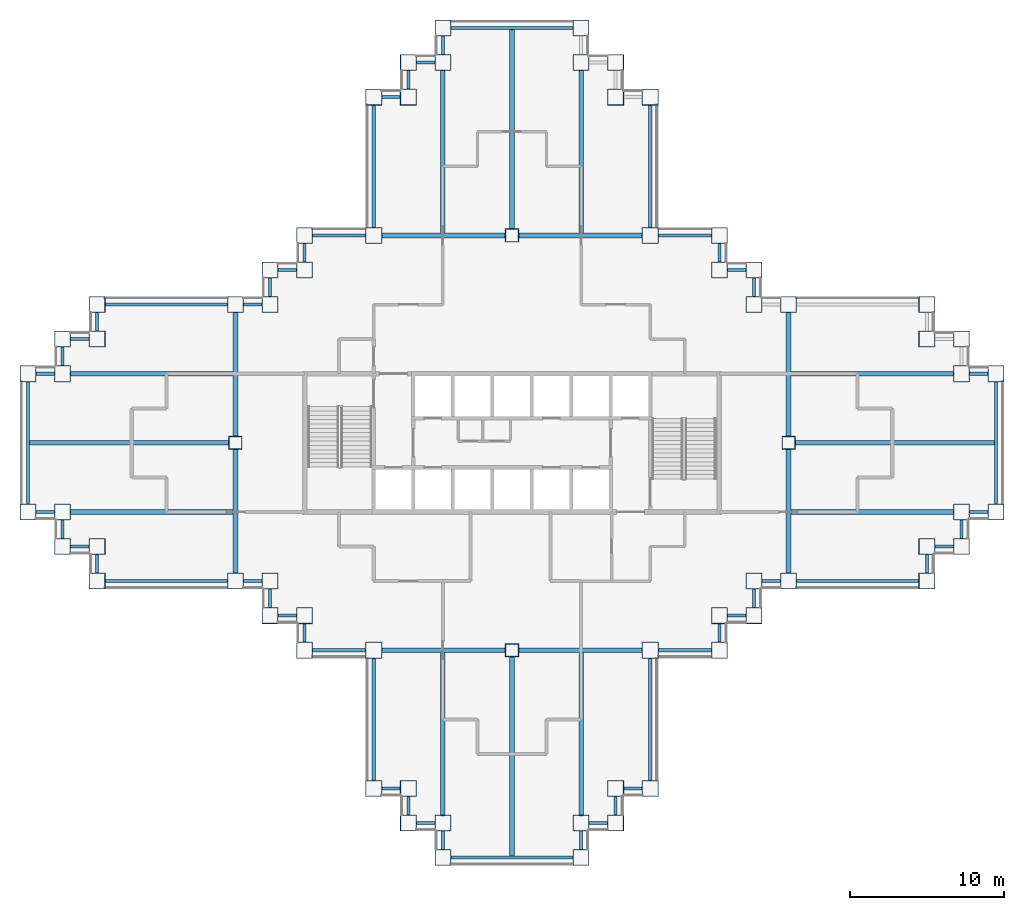
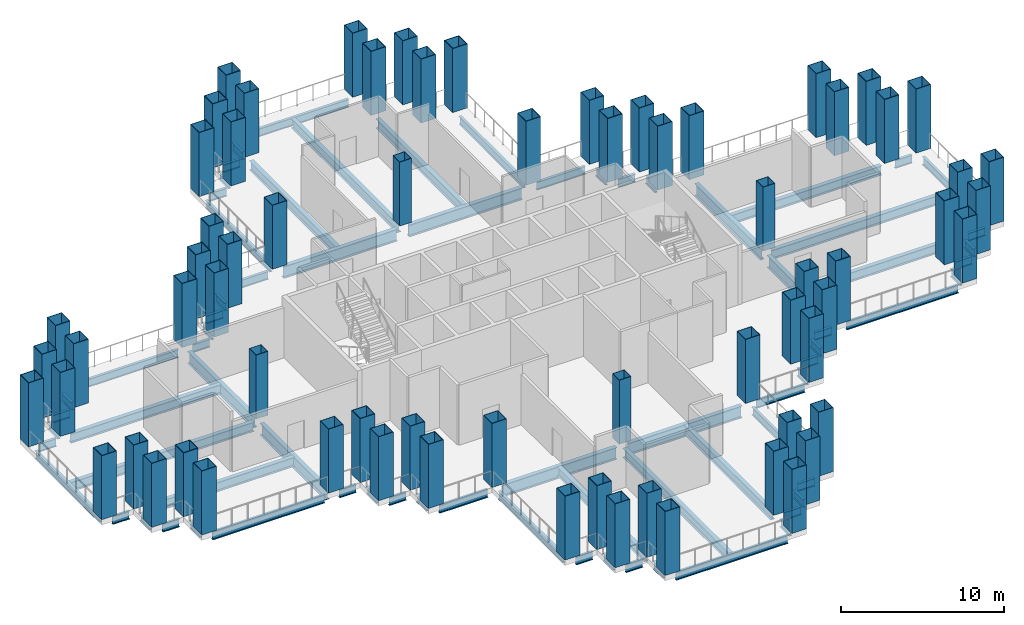
# One storey, part 1 of 10: 75 beams, 68 columns.
"""IFC4 building model written with IfcOpenShell, lengths in metres."""

from ifc_helpers import new_model, si_unit, direction, frame, origin, origin_2d, place, context, subcontext, project, spatial, hollow_rectangle, i_section, extrude, material, material_profile, profile_set, type_object, element, save


model = new_model("IFC4")

# Units and contexts
model_context = context("Model", 3, precision=1e-05, world=origin(), true_north=direction((0.0, 1.0)))
body_context = subcontext(model_context, "Body", "Model", "MODEL_VIEW")
ifc_project = project(units=[si_unit("LENGTHUNIT", "METRE"), si_unit("AREAUNIT", "SQUARE_METRE"), si_unit("VOLUMEUNIT", "CUBIC_METRE"), si_unit("PLANEANGLEUNIT", "RADIAN"), si_unit("MASSUNIT", "GRAM", prefix="KILO")], contexts=[model_context])

# Site, building, storey
site_placement = place(None, origin())
site = spatial("IfcSite", under=ifc_project, at=site_placement, CompositionType="ELEMENT")
building_placement = place(site_placement, origin())
building = spatial("IfcBuilding", under=site, at=building_placement, Name="Caravel Reach Hotel and Residences", CompositionType="ELEMENT")
storey_placement = place(building_placement, frame((0.0, 0.0, 48.0)))
storey = spatial("IfcBuildingStorey", under=building, at=storey_placement, Name="L10", CompositionType="ELEMENT", Elevation=48.0)

# Columns
ifc_material_1 = material(Name="Concrete-filled steel tube Q390B with Concrete C70 infill", Category="concrete")
ifc_material_profile_1 = material_profile(ifc_material_1, hollow_rectangle(XDim=1.050048828125, YDim=1.050048828125, WallThickness=0.033935546875, at=origin_2d()), Name="RHS 1050x1050x34")
ifc_profile_set_1 = profile_set([ifc_material_profile_1], Name="Concrete-filled steel tube Q390B with Concrete C70 infill")
column_type_1 = type_object("IfcColumnType", Name="CFT 1050x1050 Q390B C70", PredefinedType="COLUMN", material=ifc_profile_set_1)
for number, where, z_axis, x_axis, name in (
    (1, (22.5, 4.5, 0.0), (0.0, 0.0, 1.0), (1.0, 0.0, 0.0), "C11 column"),
    (2, (24.75, 4.5, 0.0), (0.0, 0.0, 1.0), (1.0, 0.0, 0.0), "C11 column"),
    (3, (24.75, 2.25, 0.0), (0.0, 0.0, 1.0), (1.0, 0.0, 0.0), "C11 column"),
    (4, (27.0, 2.25, 0.0), (0.0, 0.0, 1.0), (1.0, 0.0, 0.0), "C11 column"),
    (5, (27.0, 0.0, 0.0), (0.0, 0.0, 1.0), (1.0, 0.0, 0.0), "C11 column"),
    (6, (36.0, 0.0, 0.0), (0.0, 0.0, 1.0), (1.0, 0.0, 0.0), "C11 column"),
    (7, (36.0, 2.25, 0.0), (0.0, 0.0, 1.0), (1.0, 0.0, 0.0), "C11 column"),
    (8, (38.25, 2.25, 0.0), (0.0, 0.0, 1.0), (1.0, 0.0, 0.0), "C11 column"),
    (9, (38.25, 4.5, 0.0), (0.0, 0.0, 1.0), (1.0, 0.0, 0.0), "C11 column"),
    (10, (40.5, 4.5, 0.0), (0.0, 0.0, 1.0), (1.0, 0.0, 0.0), "C11 column"),
    (11, (40.5, 13.5, 0.0), (0.0, 0.0, 1.0), (1.0, 0.0, 0.0), "C11 column"),
    (12, (45.0, 13.5, 0.0), (0.0, 0.0, 1.0), (1.0, 0.0, 0.0), "C11 column"),
    (13, (45.0, 15.75, 0.0), (0.0, 0.0, 1.0), (1.0, 0.0, 0.0), "C11 column"),
    (14, (47.25, 15.75, 0.0), (0.0, 0.0, 1.0), (1.0, 0.0, 0.0), "C11 column"),
    (15, (47.25, 18.0, 0.0), (0.0, 0.0, 1.0), (1.0, 0.0, 0.0), "C11 column"),
    (16, (49.5, 18.0, 0.0), (0.0, 0.0, 1.0), (1.0, 0.0, 0.0), "C11 column"),
    (17, (58.5, 18.0, 0.0), (0.0, 0.0, 1.0), (1.0, 0.0, 0.0), "C11 column"),
    (18, (58.5, 20.25, 0.0), (0.0, 0.0, 1.0), (1.0, 0.0, 0.0), "C11 column"),
    (19, (60.75, 20.25, 0.0), (0.0, 0.0, 1.0), (1.0, 0.0, 0.0), "C11 column"),
    (20, (60.75, 22.5, 0.0), (0.0, 0.0, 1.0), (1.0, 0.0, 0.0), "C11 column"),
    (21, (63.0, 22.5, 0.0), (0.0, 0.0, 1.0), (1.0, 0.0, 0.0), "C11 column"),
    (22, (63.0, 31.5, 0.0), (0.0, 0.0, 1.0), (1.0, 0.0, 0.0), "C11 column"),
    (23, (60.75, 31.5, 0.0), (0.0, 0.0, 1.0), (1.0, 0.0, 0.0), "C11 column"),
    (24, (60.75, 33.75, 0.0), (0.0, 0.0, 1.0), (1.0, 0.0, 0.0), "C11 column"),
    (25, (58.5, 33.75, 0.0), (0.0, 0.0, 1.0), (1.0, 0.0, 0.0), "C11 column"),
    (26, (58.5, 36.0, 0.0), (0.0, 0.0, 1.0), (1.0, 0.0, 0.0), "C11 column"),
    (27, (49.5, 36.0, 0.0), (0.0, 0.0, 1.0), (1.0, 0.0, 0.0), "C11 column"),
    (28, (47.25, 36.0, 0.0), (0.0, 0.0, 1.0), (1.0, 0.0, 0.0), "C11 column"),
    (29, (47.25, 38.25, 0.0), (0.0, 0.0, 1.0), (1.0, 0.0, 0.0), "C11 column"),
    (30, (45.0, 38.25, 0.0), (0.0, 0.0, 1.0), (1.0, 0.0, 0.0), "C11 column"),
    (31, (45.0, 40.5, 0.0), (0.0, 0.0, 1.0), (1.0, 0.0, 0.0), "C11 column"),
    (32, (40.5, 40.5, 0.0), (0.0, 0.0, 1.0), (1.0, 0.0, 0.0), "C11 column"),
    (33, (40.5, 49.5, 0.0), (0.0, 0.0, 1.0), (1.0, 0.0, 0.0), "C11 column"),
    (34, (38.25, 49.5, 0.0), (0.0, 0.0, 1.0), (1.0, 0.0, 0.0), "C11 column"),
    (35, (38.25, 51.75, 0.0), (0.0, 0.0, 1.0), (1.0, 0.0, 0.0), "C11 column"),
    (36, (36.0, 51.75, 0.0), (0.0, 0.0, 1.0), (1.0, 0.0, 0.0), "C11 column"),
    (37, (36.0, 54.0, 0.0), (0.0, 0.0, 1.0), (1.0, 0.0, 0.0), "C11 column"),
    (38, (27.0, 54.0, 0.0), (0.0, 0.0, 1.0), (1.0, 0.0, 0.0), "C11 column"),
    (39, (27.0, 51.75, 0.0), (0.0, 0.0, 1.0), (1.0, 0.0, 0.0), "C11 column"),
    (40, (24.75, 51.75, 0.0), (0.0, 0.0, 1.0), (1.0, 0.0, 0.0), "C11 column"),
    (41, (24.75, 49.5, 0.0), (0.0, 0.0, 1.0), (1.0, 0.0, 0.0), "C11 column"),
    (42, (22.5, 49.5, 0.0), (0.0, 0.0, 1.0), (1.0, 0.0, 0.0), "C11 column"),
    (43, (22.5, 40.5, 0.0), (0.0, 0.0, 1.0), (1.0, 0.0, 0.0), "C11 column"),
    (44, (18.0, 40.5, 0.0), (0.0, 0.0, 1.0), (1.0, 0.0, 0.0), "C11 column"),
    (45, (18.0, 38.25, 0.0), (0.0, 0.0, 1.0), (1.0, 0.0, 0.0), "C11 column"),
    (46, (15.75, 38.25, 0.0), (0.0, 0.0, 1.0), (1.0, 0.0, 0.0), "C11 column"),
    (47, (15.75, 36.0, 0.0), (0.0, 0.0, 1.0), (1.0, 0.0, 0.0), "C11 column"),
    (48, (13.5, 36.0, 0.0), (0.0, 0.0, 1.0), (1.0, 0.0, 0.0), "C11 column"),
    (49, (4.5, 36.0, 0.0), (0.0, 0.0, 1.0), (1.0, 0.0, 0.0), "C11 column"),
    (50, (4.5, 33.75, 0.0), (0.0, 0.0, 1.0), (1.0, 0.0, 0.0), "C11 column"),
    (51, (2.25, 33.75, 0.0), (0.0, 0.0, 1.0), (1.0, 0.0, 0.0), "C11 column"),
    (52, (2.25, 31.5, 0.0), (0.0, 0.0, 1.0), (1.0, 0.0, 0.0), "C11 column"),
    (53, (0.0, 31.5, 0.0), (0.0, 0.0, 1.0), (1.0, 0.0, 0.0), "C11 column"),
    (54, (0.0, 22.5, 0.0), (0.0, 0.0, 1.0), (1.0, 0.0, 0.0), "C11 column"),
    (55, (2.25, 22.5, 0.0), (0.0, 0.0, 1.0), (1.0, 0.0, 0.0), "C11 column"),
    (56, (2.25, 20.25, 0.0), (0.0, 0.0, 1.0), (1.0, 0.0, 0.0), "C11 column"),
    (57, (4.5, 20.25, 0.0), (0.0, 0.0, 1.0), (1.0, 0.0, 0.0), "C11 column"),
    (58, (4.5, 18.0, 0.0), (0.0, 0.0, 1.0), (1.0, 0.0, 0.0), "C11 column"),
    (59, (13.5, 18.0, 0.0), (0.0, 0.0, 1.0), (1.0, 0.0, 0.0), "C11 column"),
    (60, (15.75, 18.0, 0.0), (0.0, 0.0, 1.0), (1.0, 0.0, 0.0), "C11 column"),
    (61, (15.75, 15.75, 0.0), (0.0, 0.0, 1.0), (1.0, 0.0, 0.0), "C11 column"),
    (62, (18.0, 15.75, 0.0), (0.0, 0.0, 1.0), (1.0, 0.0, 0.0), "C11 column"),
    (63, (18.0, 13.5, 0.0), (0.0, 0.0, 1.0), (1.0, 0.0, 0.0), "C11 column"),
    (64, (22.5, 13.5, 0.0), (0.0, 0.0, 1.0), (1.0, 0.0, 0.0), "C11 column"),
):
    element("IfcColumn", number, at=place(storey_placement, frame(where, z_axis=z_axis, x_axis=x_axis)), inside=storey, type_object=column_type_1, Name=name, PredefinedType="COLUMN", context=body_context, shape_type="SweptSolid", body=[
        extrude(hollow_rectangle(XDim=1.050048828125, YDim=1.050048828125, WallThickness=0.033935546875, at=origin_2d()), origin(), (0.0, 0.0, 1.0), 4.800048828125),
    ])
ifc_material_2 = material(Name="Concrete-filled steel tube Q390B with Concrete C70 infill", Category="concrete")
ifc_material_profile_2 = material_profile(ifc_material_2, hollow_rectangle(XDim=0.85009765625, YDim=0.85009765625, WallThickness=0.02587890625, at=origin_2d()), Name="RHS 850x850x26")
ifc_profile_set_2 = profile_set([ifc_material_profile_2], Name="Concrete-filled steel tube Q390B with Concrete C70 infill")
column_type_2 = type_object("IfcColumnType", Name="CFT 850x850 Q390B C70", PredefinedType="COLUMN", material=ifc_profile_set_2)
for number, where, z_axis, x_axis, name in (
    (65, (31.5, 40.5, 0.0), (0.0, 0.0, 1.0), (1.0, 0.0, 0.0), "C13 column"),
    (66, (31.5, 13.5, 0.0), (0.0, 0.0, 1.0), (1.0, 0.0, 0.0), "C13 column"),
    (67, (13.5, 27.0, 0.0), (0.0, 0.0, 1.0), (1.0, 0.0, 0.0), "C13 column"),
    (68, (49.5, 27.0, 0.0), (0.0, 0.0, 1.0), (1.0, 0.0, 0.0), "C13 column"),
):
    element("IfcColumn", number, at=place(storey_placement, frame(where, z_axis=z_axis, x_axis=x_axis)), inside=storey, type_object=column_type_2, Name=name, PredefinedType="COLUMN", context=body_context, shape_type="SweptSolid", body=[
        extrude(hollow_rectangle(XDim=0.85009765625, YDim=0.85009765625, WallThickness=0.02587890625, at=origin_2d()), origin(), (0.0, 0.0, 1.0), 4.800048828125),
    ])

# Beams
ifc_material_3 = material(Name="Structural steel Q355B", Category="steel")
ifc_material_profile_3 = material_profile(ifc_material_3, i_section(OverallWidth=0.300048828125, OverallDepth=0.699951171875, WebThickness=0.012939453125, FlangeThickness=0.02392578125, FilletRadius=0.01806640625, at=origin_2d()), Name="HN 700x300x13x24")
ifc_profile_set_3 = profile_set([ifc_material_profile_3], Name="Structural steel Q355B")
beam_type_1 = type_object("IfcBeamType", Name="Beam HN 700x300x13x24", PredefinedType="BEAM", material=ifc_profile_set_3)
beam_1_placement = place(storey_placement, frame((27.0, 40.60009765625, -0.75), z_axis=(0.0, 1.0, 0.0), x_axis=(-1.0, 0.0, 0.0)))
element("IfcBeam", 69, at=beam_1_placement, inside=storey, type_object=beam_type_1, Name="B2 HN 700x300x13x24", PredefinedType="BEAM", context=body_context, shape_type="SweptSolid", body=[
    extrude(i_section(OverallWidth=0.300048828125, OverallDepth=0.699951171875, WebThickness=0.012939453125, FlangeThickness=0.02392578125, FilletRadius=0.01806640625, at=origin_2d()), origin(), (0.0, 0.0, 1.0), 10.6748046875),
])
beam_2_placement = place(storey_placement, frame((31.5, 40.875, -0.75), z_axis=(0.0, 1.0, 0.0), x_axis=(-1.0, 0.0, 0.0)))
element("IfcBeam", 70, at=beam_2_placement, inside=storey, type_object=beam_type_1, Name="B2 HN 700x300x13x24", PredefinedType="BEAM", context=body_context, shape_type="SweptSolid", body=[
    extrude(i_section(OverallWidth=0.300048828125, OverallDepth=0.699951171875, WebThickness=0.012939453125, FlangeThickness=0.02392578125, FilletRadius=0.01806640625, at=origin_2d()), origin(), (0.0, 0.0, 1.0), 13.02490234375),
])
for number, where, z_axis, x_axis, name in (
    (71, (36.0, 40.60009765625, -0.75), (0.0, 1.0, 0.0), (-1.0, 0.0, 0.0), "B2 HN 700x300x13x24"),
    (72, (27.0, 13.39990234375, -0.75), (0.0, -1.0, 0.0), (1.0, 0.0, 0.0), "B2 HN 700x300x13x24"),
):
    element("IfcBeam", number, at=place(storey_placement, frame(where, z_axis=z_axis, x_axis=x_axis)), inside=storey, type_object=beam_type_1, Name=name, PredefinedType="BEAM", context=body_context, shape_type="SweptSolid", body=[
        extrude(i_section(OverallWidth=0.300048828125, OverallDepth=0.699951171875, WebThickness=0.012939453125, FlangeThickness=0.02392578125, FilletRadius=0.01806640625, at=origin_2d()), origin(), (0.0, 0.0, 1.0), 10.6748046875),
    ])
beam_3_placement = place(storey_placement, frame((31.5, 13.125, -0.75), z_axis=(0.0, -1.0, 0.0), x_axis=(1.0, 0.0, 0.0)))
element("IfcBeam", 73, at=beam_3_placement, inside=storey, type_object=beam_type_1, Name="B2 HN 700x300x13x24", PredefinedType="BEAM", context=body_context, shape_type="SweptSolid", body=[
    extrude(i_section(OverallWidth=0.300048828125, OverallDepth=0.699951171875, WebThickness=0.012939453125, FlangeThickness=0.02392578125, FilletRadius=0.01806640625, at=origin_2d()), origin(), (0.0, 0.0, 1.0), 13.02490234375),
])
for number, where, z_axis, x_axis, name in (
    (74, (36.0, 13.39990234375, -0.75), (0.0, -1.0, 0.0), (1.0, 0.0, 0.0), "B2 HN 700x300x13x24"),
    (75, (49.60009765625, 22.5, -0.75), (1.0, 0.0, 0.0), (0.0, 1.0, 0.0), "B2 HN 700x300x13x24"),
):
    element("IfcBeam", number, at=place(storey_placement, frame(where, z_axis=z_axis, x_axis=x_axis)), inside=storey, type_object=beam_type_1, Name=name, PredefinedType="BEAM", context=body_context, shape_type="SweptSolid", body=[
        extrude(i_section(OverallWidth=0.300048828125, OverallDepth=0.699951171875, WebThickness=0.012939453125, FlangeThickness=0.02392578125, FilletRadius=0.01806640625, at=origin_2d()), origin(), (0.0, 0.0, 1.0), 10.6748046875),
    ])
beam_4_placement = place(storey_placement, frame((49.875, 27.0, -0.75), z_axis=(1.0, 0.0, 0.0), x_axis=(0.0, 1.0, 0.0)))
element("IfcBeam", 76, at=beam_4_placement, inside=storey, type_object=beam_type_1, Name="B2 HN 700x300x13x24", PredefinedType="BEAM", context=body_context, shape_type="SweptSolid", body=[
    extrude(i_section(OverallWidth=0.300048828125, OverallDepth=0.699951171875, WebThickness=0.012939453125, FlangeThickness=0.02392578125, FilletRadius=0.01806640625, at=origin_2d()), origin(), (0.0, 0.0, 1.0), 13.02490234375),
])
for number, where, z_axis, x_axis, name in (
    (77, (49.60009765625, 31.5, -0.75), (1.0, 0.0, 0.0), (0.0, 1.0, 0.0), "B2 HN 700x300x13x24"),
    (78, (13.39990234375, 22.5, -0.75), (-1.0, 0.0, 0.0), (0.0, -1.0, 0.0), "B2 HN 700x300x13x24"),
):
    element("IfcBeam", number, at=place(storey_placement, frame(where, z_axis=z_axis, x_axis=x_axis)), inside=storey, type_object=beam_type_1, Name=name, PredefinedType="BEAM", context=body_context, shape_type="SweptSolid", body=[
        extrude(i_section(OverallWidth=0.300048828125, OverallDepth=0.699951171875, WebThickness=0.012939453125, FlangeThickness=0.02392578125, FilletRadius=0.01806640625, at=origin_2d()), origin(), (0.0, 0.0, 1.0), 10.6748046875),
    ])
beam_5_placement = place(storey_placement, frame((13.125, 27.0, -0.75), z_axis=(-1.0, 0.0, 0.0), x_axis=(0.0, -1.0, 0.0)))
element("IfcBeam", 79, at=beam_5_placement, inside=storey, type_object=beam_type_1, Name="B2 HN 700x300x13x24", PredefinedType="BEAM", context=body_context, shape_type="SweptSolid", body=[
    extrude(i_section(OverallWidth=0.300048828125, OverallDepth=0.699951171875, WebThickness=0.012939453125, FlangeThickness=0.02392578125, FilletRadius=0.01806640625, at=origin_2d()), origin(), (0.0, 0.0, 1.0), 13.02490234375),
])
beam_6_placement = place(storey_placement, frame((13.39990234375, 31.5, -0.75), z_axis=(-1.0, 0.0, 0.0), x_axis=(0.0, -1.0, 0.0)))
element("IfcBeam", 80, at=beam_6_placement, inside=storey, type_object=beam_type_1, Name="B2 HN 700x300x13x24", PredefinedType="BEAM", context=body_context, shape_type="SweptSolid", body=[
    extrude(i_section(OverallWidth=0.300048828125, OverallDepth=0.699951171875, WebThickness=0.012939453125, FlangeThickness=0.02392578125, FilletRadius=0.01806640625, at=origin_2d()), origin(), (0.0, 0.0, 1.0), 10.6748046875),
])
ifc_material_4 = material(Name="Structural steel Q355B", Category="steel")
ifc_material_profile_4 = material_profile(ifc_material_4, i_section(OverallWidth=0.300048828125, OverallDepth=0.89990234375, WebThickness=0.01611328125, FlangeThickness=0.028076171875, FilletRadius=0.01806640625, at=origin_2d()), Name="HN 900x300x16x28")
ifc_profile_set_4 = profile_set([ifc_material_profile_4], Name="Structural steel Q355B")
beam_type_2 = type_object("IfcBeamType", Name="Beam HN 900x300x16x28", PredefinedType="BEAM", material=ifc_profile_set_4)
for number, where, z_axis, x_axis, name in (
    (81, (23.02490234375, 40.5, -0.85009765625), (1.0, 0.0, 0.0), (0.0, 1.0, 0.0), "B3 HN 900x300x16x28"),
    (82, (31.925048828125, 40.5, -0.85009765625), (1.0, 0.0, 0.0), (0.0, 1.0, 0.0), "B3 HN 900x300x16x28"),
    (83, (23.02490234375, 13.5, -0.85009765625), (1.0, 0.0, 0.0), (0.0, 1.0, 0.0), "B3 HN 900x300x16x28"),
    (84, (31.925048828125, 13.5, -0.85009765625), (1.0, 0.0, 0.0), (0.0, 1.0, 0.0), "B3 HN 900x300x16x28"),
    (85, (13.5, 18.52490234375, -0.85009765625), (0.0, 1.0, 0.0), (-1.0, 0.0, 0.0), "B3 HN 900x300x16x28"),
    (86, (13.5, 27.425048828125, -0.85009765625), (0.0, 1.0, 0.0), (-1.0, 0.0, 0.0), "B3 HN 900x300x16x28"),
    (87, (49.5, 18.52490234375, -0.85009765625), (0.0, 1.0, 0.0), (-1.0, 0.0, 0.0), "B3 HN 900x300x16x28"),
    (88, (49.5, 27.425048828125, -0.85009765625), (0.0, 1.0, 0.0), (-1.0, 0.0, 0.0), "B3 HN 900x300x16x28"),
):
    element("IfcBeam", number, at=place(storey_placement, frame(where, z_axis=z_axis, x_axis=x_axis)), inside=storey, type_object=beam_type_2, Name=name, PredefinedType="BEAM", context=body_context, shape_type="SweptSolid", body=[
        extrude(i_section(OverallWidth=0.300048828125, OverallDepth=0.89990234375, WebThickness=0.01611328125, FlangeThickness=0.028076171875, FilletRadius=0.01806640625, at=origin_2d()), origin(), (0.0, 0.0, 1.0), 8.050048828125),
    ])
ifc_material_5 = material(Name="Structural steel Q355B", Category="steel")
ifc_material_profile_5 = material_profile(ifc_material_5, i_section(OverallWidth=0.199951171875, OverallDepth=0.60009765625, WebThickness=0.010986328125, FlangeThickness=0.01708984375, FilletRadius=0.012939453125, at=origin_2d()), Name="HN 600x200x11x17")
ifc_profile_set_5 = profile_set([ifc_material_profile_5], Name="Structural steel Q355B")
beam_type_3 = type_object("IfcBeamType", Name="Spandrel beam HN 600x200x11x17", PredefinedType="SPANDREL", material=ifc_profile_set_5)
for number, where, z_axis, x_axis, name in (
    (89, (23.02490234375, 4.5, -0.699951171875), (1.0, 0.0, 0.0), (0.0, 1.0, 0.0), "SP1 HN 600x200x11x17"),
    (90, (24.75, 3.97509765625, -0.699951171875), (0.0, -1.0, 0.0), (1.0, 0.0, 0.0), "SP1 HN 600x200x11x17"),
    (91, (25.27490234375, 2.25, -0.699951171875), (1.0, 0.0, 0.0), (0.0, 1.0, 0.0), "SP1 HN 600x200x11x17"),
    (92, (27.0, 1.72509765625, -0.699951171875), (0.0, -1.0, 0.0), (1.0, 0.0, 0.0), "SP1 HN 600x200x11x17"),
):
    element("IfcBeam", number, at=place(storey_placement, frame(where, z_axis=z_axis, x_axis=x_axis)), inside=storey, type_object=beam_type_3, Name=name, PredefinedType="SPANDREL", context=body_context, shape_type="SweptSolid", body=[
        extrude(i_section(OverallWidth=0.199951171875, OverallDepth=0.60009765625, WebThickness=0.010986328125, FlangeThickness=0.01708984375, FilletRadius=0.012939453125, at=origin_2d()), origin(), (0.0, 0.0, 1.0), 1.2001953125),
    ])
beam_7_placement = place(storey_placement, frame((27.52490234375, 0.0, -0.699951171875), z_axis=(1.0, 0.0, 0.0), x_axis=(0.0, 1.0, 0.0)))
element("IfcBeam", 93, at=beam_7_placement, inside=storey, type_object=beam_type_3, Name="SP1 HN 600x200x11x17", PredefinedType="SPANDREL", context=body_context, shape_type="SweptSolid", body=[
    extrude(i_section(OverallWidth=0.199951171875, OverallDepth=0.60009765625, WebThickness=0.010986328125, FlangeThickness=0.01708984375, FilletRadius=0.012939453125, at=origin_2d()), origin(), (0.0, 0.0, 1.0), 7.9501953125),
])
for number, where, z_axis, x_axis, name in (
    (94, (36.0, 0.52490234375, -0.699951171875), (0.0, 1.0, 0.0), (-1.0, 0.0, 0.0), "SP1 HN 600x200x11x17"),
    (95, (36.52490234375, 2.25, -0.699951171875), (1.0, 0.0, 0.0), (0.0, 1.0, 0.0), "SP1 HN 600x200x11x17"),
    (96, (38.25, 2.77490234375, -0.699951171875), (0.0, 1.0, 0.0), (-1.0, 0.0, 0.0), "SP1 HN 600x200x11x17"),
    (97, (38.77490234375, 4.5, -0.699951171875), (1.0, 0.0, 0.0), (0.0, 1.0, 0.0), "SP1 HN 600x200x11x17"),
):
    element("IfcBeam", number, at=place(storey_placement, frame(where, z_axis=z_axis, x_axis=x_axis)), inside=storey, type_object=beam_type_3, Name=name, PredefinedType="SPANDREL", context=body_context, shape_type="SweptSolid", body=[
        extrude(i_section(OverallWidth=0.199951171875, OverallDepth=0.60009765625, WebThickness=0.010986328125, FlangeThickness=0.01708984375, FilletRadius=0.012939453125, at=origin_2d()), origin(), (0.0, 0.0, 1.0), 1.2001953125),
    ])
beam_8_placement = place(storey_placement, frame((40.5, 5.02490234375, -0.699951171875), z_axis=(0.0, 1.0, 0.0), x_axis=(-1.0, 0.0, 0.0)))
element("IfcBeam", 98, at=beam_8_placement, inside=storey, type_object=beam_type_3, Name="SP1 HN 600x200x11x17", PredefinedType="SPANDREL", context=body_context, shape_type="SweptSolid", body=[
    extrude(i_section(OverallWidth=0.199951171875, OverallDepth=0.60009765625, WebThickness=0.010986328125, FlangeThickness=0.01708984375, FilletRadius=0.012939453125, at=origin_2d()), origin(), (0.0, 0.0, 1.0), 7.9501953125),
])
beam_9_placement = place(storey_placement, frame((41.02490234375, 13.5, -0.699951171875), z_axis=(1.0, 0.0, 0.0), x_axis=(0.0, 1.0, 0.0)))
element("IfcBeam", 99, at=beam_9_placement, inside=storey, type_object=beam_type_3, Name="SP1 HN 600x200x11x17", PredefinedType="SPANDREL", context=body_context, shape_type="SweptSolid", body=[
    extrude(i_section(OverallWidth=0.199951171875, OverallDepth=0.60009765625, WebThickness=0.010986328125, FlangeThickness=0.01708984375, FilletRadius=0.012939453125, at=origin_2d()), origin(), (0.0, 0.0, 1.0), 3.4501953125),
])
for number, where, z_axis, x_axis, name in (
    (100, (45.0, 14.02490234375, -0.699951171875), (0.0, 1.0, 0.0), (-1.0, 0.0, 0.0), "SP1 HN 600x200x11x17"),
    (101, (45.52490234375, 15.75, -0.699951171875), (1.0, 0.0, 0.0), (0.0, 1.0, 0.0), "SP1 HN 600x200x11x17"),
    (102, (47.25, 16.27490234375, -0.699951171875), (0.0, 1.0, 0.0), (-1.0, 0.0, 0.0), "SP1 HN 600x200x11x17"),
    (103, (47.77490234375, 18.0, -0.699951171875), (1.0, 0.0, 0.0), (0.0, 1.0, 0.0), "SP1 HN 600x200x11x17"),
):
    element("IfcBeam", number, at=place(storey_placement, frame(where, z_axis=z_axis, x_axis=x_axis)), inside=storey, type_object=beam_type_3, Name=name, PredefinedType="SPANDREL", context=body_context, shape_type="SweptSolid", body=[
        extrude(i_section(OverallWidth=0.199951171875, OverallDepth=0.60009765625, WebThickness=0.010986328125, FlangeThickness=0.01708984375, FilletRadius=0.012939453125, at=origin_2d()), origin(), (0.0, 0.0, 1.0), 1.2001953125),
    ])
beam_10_placement = place(storey_placement, frame((50.02490234375, 18.0, -0.699951171875), z_axis=(1.0, 0.0, 0.0), x_axis=(0.0, 1.0, 0.0)))
element("IfcBeam", 104, at=beam_10_placement, inside=storey, type_object=beam_type_3, Name="SP1 HN 600x200x11x17", PredefinedType="SPANDREL", context=body_context, shape_type="SweptSolid", body=[
    extrude(i_section(OverallWidth=0.199951171875, OverallDepth=0.60009765625, WebThickness=0.010986328125, FlangeThickness=0.01708984375, FilletRadius=0.012939453125, at=origin_2d()), origin(), (0.0, 0.0, 1.0), 7.9501953125),
])
for number, where, z_axis, x_axis, name in (
    (105, (58.5, 18.52490234375, -0.699951171875), (0.0, 1.0, 0.0), (-1.0, 0.0, 0.0), "SP1 HN 600x200x11x17"),
    (106, (59.02490234375, 20.25, -0.699951171875), (1.0, 0.0, 0.0), (0.0, 1.0, 0.0), "SP1 HN 600x200x11x17"),
    (107, (60.75, 20.77490234375, -0.699951171875), (0.0, 1.0, 0.0), (-1.0, 0.0, 0.0), "SP1 HN 600x200x11x17"),
    (108, (61.27490234375, 22.5, -0.699951171875), (1.0, 0.0, 0.0), (0.0, 1.0, 0.0), "SP1 HN 600x200x11x17"),
):
    element("IfcBeam", number, at=place(storey_placement, frame(where, z_axis=z_axis, x_axis=x_axis)), inside=storey, type_object=beam_type_3, Name=name, PredefinedType="SPANDREL", context=body_context, shape_type="SweptSolid", body=[
        extrude(i_section(OverallWidth=0.199951171875, OverallDepth=0.60009765625, WebThickness=0.010986328125, FlangeThickness=0.01708984375, FilletRadius=0.012939453125, at=origin_2d()), origin(), (0.0, 0.0, 1.0), 1.2001953125),
    ])
beam_11_placement = place(storey_placement, frame((63.0, 23.02490234375, -0.699951171875), z_axis=(0.0, 1.0, 0.0), x_axis=(-1.0, 0.0, 0.0)))
element("IfcBeam", 109, at=beam_11_placement, inside=storey, type_object=beam_type_3, Name="SP1 HN 600x200x11x17", PredefinedType="SPANDREL", context=body_context, shape_type="SweptSolid", body=[
    extrude(i_section(OverallWidth=0.199951171875, OverallDepth=0.60009765625, WebThickness=0.010986328125, FlangeThickness=0.01708984375, FilletRadius=0.012939453125, at=origin_2d()), origin(), (0.0, 0.0, 1.0), 7.9501953125),
])
for number, where, z_axis, x_axis, name in (
    (110, (62.47509765625, 31.5, -0.699951171875), (-1.0, 0.0, 0.0), (0.0, -1.0, 0.0), "SP1 HN 600x200x11x17"),
    (111, (47.25, 36.52490234375, -0.699951171875), (0.0, 1.0, 0.0), (-1.0, 0.0, 0.0), "SP1 HN 600x200x11x17"),
    (112, (46.72509765625, 38.25, -0.699951171875), (-1.0, 0.0, 0.0), (0.0, -1.0, 0.0), "SP1 HN 600x200x11x17"),
    (113, (45.0, 38.77490234375, -0.699951171875), (0.0, 1.0, 0.0), (-1.0, 0.0, 0.0), "SP1 HN 600x200x11x17"),
):
    element("IfcBeam", number, at=place(storey_placement, frame(where, z_axis=z_axis, x_axis=x_axis)), inside=storey, type_object=beam_type_3, Name=name, PredefinedType="SPANDREL", context=body_context, shape_type="SweptSolid", body=[
        extrude(i_section(OverallWidth=0.199951171875, OverallDepth=0.60009765625, WebThickness=0.010986328125, FlangeThickness=0.01708984375, FilletRadius=0.012939453125, at=origin_2d()), origin(), (0.0, 0.0, 1.0), 1.2001953125),
    ])
beam_12_placement = place(storey_placement, frame((44.47509765625, 40.5, -0.699951171875), z_axis=(-1.0, 0.0, 0.0), x_axis=(0.0, -1.0, 0.0)))
element("IfcBeam", 114, at=beam_12_placement, inside=storey, type_object=beam_type_3, Name="SP1 HN 600x200x11x17", PredefinedType="SPANDREL", context=body_context, shape_type="SweptSolid", body=[
    extrude(i_section(OverallWidth=0.199951171875, OverallDepth=0.60009765625, WebThickness=0.010986328125, FlangeThickness=0.01708984375, FilletRadius=0.012939453125, at=origin_2d()), origin(), (0.0, 0.0, 1.0), 3.4501953125),
])
for number, where, z_axis, x_axis, name in (
    (115, (40.5, 41.02490234375, -0.699951171875), (0.0, 1.0, 0.0), (-1.0, 0.0, 0.0), "SP1 HN 600x200x11x17"),
    (116, (35.47509765625, 54.0, -0.699951171875), (-1.0, 0.0, 0.0), (0.0, -1.0, 0.0), "SP1 HN 600x200x11x17"),
):
    element("IfcBeam", number, at=place(storey_placement, frame(where, z_axis=z_axis, x_axis=x_axis)), inside=storey, type_object=beam_type_3, Name=name, PredefinedType="SPANDREL", context=body_context, shape_type="SweptSolid", body=[
        extrude(i_section(OverallWidth=0.199951171875, OverallDepth=0.60009765625, WebThickness=0.010986328125, FlangeThickness=0.01708984375, FilletRadius=0.012939453125, at=origin_2d()), origin(), (0.0, 0.0, 1.0), 7.9501953125),
    ])
for number, where, z_axis, x_axis, name in (
    (117, (27.0, 53.47509765625, -0.699951171875), (0.0, -1.0, 0.0), (1.0, 0.0, 0.0), "SP1 HN 600x200x11x17"),
    (118, (26.47509765625, 51.75, -0.699951171875), (-1.0, 0.0, 0.0), (0.0, -1.0, 0.0), "SP1 HN 600x200x11x17"),
    (119, (24.75, 51.22509765625, -0.699951171875), (0.0, -1.0, 0.0), (1.0, 0.0, 0.0), "SP1 HN 600x200x11x17"),
    (120, (24.22509765625, 49.5, -0.699951171875), (-1.0, 0.0, 0.0), (0.0, -1.0, 0.0), "SP1 HN 600x200x11x17"),
):
    element("IfcBeam", number, at=place(storey_placement, frame(where, z_axis=z_axis, x_axis=x_axis)), inside=storey, type_object=beam_type_3, Name=name, PredefinedType="SPANDREL", context=body_context, shape_type="SweptSolid", body=[
        extrude(i_section(OverallWidth=0.199951171875, OverallDepth=0.60009765625, WebThickness=0.010986328125, FlangeThickness=0.01708984375, FilletRadius=0.012939453125, at=origin_2d()), origin(), (0.0, 0.0, 1.0), 1.2001953125),
    ])
beam_13_placement = place(storey_placement, frame((22.5, 48.97509765625, -0.699951171875), z_axis=(0.0, -1.0, 0.0), x_axis=(1.0, 0.0, 0.0)))
element("IfcBeam", 121, at=beam_13_placement, inside=storey, type_object=beam_type_3, Name="SP1 HN 600x200x11x17", PredefinedType="SPANDREL", context=body_context, shape_type="SweptSolid", body=[
    extrude(i_section(OverallWidth=0.199951171875, OverallDepth=0.60009765625, WebThickness=0.010986328125, FlangeThickness=0.01708984375, FilletRadius=0.012939453125, at=origin_2d()), origin(), (0.0, 0.0, 1.0), 7.9501953125),
])
beam_14_placement = place(storey_placement, frame((21.97509765625, 40.5, -0.699951171875), z_axis=(-1.0, 0.0, 0.0), x_axis=(0.0, -1.0, 0.0)))
element("IfcBeam", 122, at=beam_14_placement, inside=storey, type_object=beam_type_3, Name="SP1 HN 600x200x11x17", PredefinedType="SPANDREL", context=body_context, shape_type="SweptSolid", body=[
    extrude(i_section(OverallWidth=0.199951171875, OverallDepth=0.60009765625, WebThickness=0.010986328125, FlangeThickness=0.01708984375, FilletRadius=0.012939453125, at=origin_2d()), origin(), (0.0, 0.0, 1.0), 3.4501953125),
])
for number, where, z_axis, x_axis, name in (
    (123, (18.0, 39.97509765625, -0.699951171875), (0.0, -1.0, 0.0), (1.0, 0.0, 0.0), "SP1 HN 600x200x11x17"),
    (124, (17.47509765625, 38.25, -0.699951171875), (-1.0, 0.0, 0.0), (0.0, -1.0, 0.0), "SP1 HN 600x200x11x17"),
    (125, (15.75, 37.72509765625, -0.699951171875), (0.0, -1.0, 0.0), (1.0, 0.0, 0.0), "SP1 HN 600x200x11x17"),
    (126, (15.22509765625, 36.0, -0.699951171875), (-1.0, 0.0, 0.0), (0.0, -1.0, 0.0), "SP1 HN 600x200x11x17"),
):
    element("IfcBeam", number, at=place(storey_placement, frame(where, z_axis=z_axis, x_axis=x_axis)), inside=storey, type_object=beam_type_3, Name=name, PredefinedType="SPANDREL", context=body_context, shape_type="SweptSolid", body=[
        extrude(i_section(OverallWidth=0.199951171875, OverallDepth=0.60009765625, WebThickness=0.010986328125, FlangeThickness=0.01708984375, FilletRadius=0.012939453125, at=origin_2d()), origin(), (0.0, 0.0, 1.0), 1.2001953125),
    ])
beam_15_placement = place(storey_placement, frame((12.97509765625, 36.0, -0.699951171875), z_axis=(-1.0, 0.0, 0.0), x_axis=(0.0, -1.0, 0.0)))
element("IfcBeam", 127, at=beam_15_placement, inside=storey, type_object=beam_type_3, Name="SP1 HN 600x200x11x17", PredefinedType="SPANDREL", context=body_context, shape_type="SweptSolid", body=[
    extrude(i_section(OverallWidth=0.199951171875, OverallDepth=0.60009765625, WebThickness=0.010986328125, FlangeThickness=0.01708984375, FilletRadius=0.012939453125, at=origin_2d()), origin(), (0.0, 0.0, 1.0), 7.9501953125),
])
for number, where, z_axis, x_axis, name in (
    (128, (4.5, 35.47509765625, -0.699951171875), (0.0, -1.0, 0.0), (1.0, 0.0, 0.0), "SP1 HN 600x200x11x17"),
    (129, (3.97509765625, 33.75, -0.699951171875), (-1.0, 0.0, 0.0), (0.0, -1.0, 0.0), "SP1 HN 600x200x11x17"),
    (130, (2.25, 33.22509765625, -0.699951171875), (0.0, -1.0, 0.0), (1.0, 0.0, 0.0), "SP1 HN 600x200x11x17"),
    (131, (1.72509765625, 31.5, -0.699951171875), (-1.0, 0.0, 0.0), (0.0, -1.0, 0.0), "SP1 HN 600x200x11x17"),
):
    element("IfcBeam", number, at=place(storey_placement, frame(where, z_axis=z_axis, x_axis=x_axis)), inside=storey, type_object=beam_type_3, Name=name, PredefinedType="SPANDREL", context=body_context, shape_type="SweptSolid", body=[
        extrude(i_section(OverallWidth=0.199951171875, OverallDepth=0.60009765625, WebThickness=0.010986328125, FlangeThickness=0.01708984375, FilletRadius=0.012939453125, at=origin_2d()), origin(), (0.0, 0.0, 1.0), 1.2001953125),
    ])
beam_16_placement = place(storey_placement, frame((0.0, 30.97509765625, -0.699951171875), z_axis=(0.0, -1.0, 0.0), x_axis=(1.0, 0.0, 0.0)))
element("IfcBeam", 132, at=beam_16_placement, inside=storey, type_object=beam_type_3, Name="SP1 HN 600x200x11x17", PredefinedType="SPANDREL", context=body_context, shape_type="SweptSolid", body=[
    extrude(i_section(OverallWidth=0.199951171875, OverallDepth=0.60009765625, WebThickness=0.010986328125, FlangeThickness=0.01708984375, FilletRadius=0.012939453125, at=origin_2d()), origin(), (0.0, 0.0, 1.0), 7.9501953125),
])
for number, where, z_axis, x_axis, name in (
    (133, (0.52490234375, 22.5, -0.699951171875), (1.0, 0.0, 0.0), (0.0, 1.0, 0.0), "SP1 HN 600x200x11x17"),
    (134, (2.25, 21.97509765625, -0.699951171875), (0.0, -1.0, 0.0), (1.0, 0.0, 0.0), "SP1 HN 600x200x11x17"),
    (135, (2.77490234375, 20.25, -0.699951171875), (1.0, 0.0, 0.0), (0.0, 1.0, 0.0), "SP1 HN 600x200x11x17"),
    (136, (4.5, 19.72509765625, -0.699951171875), (0.0, -1.0, 0.0), (1.0, 0.0, 0.0), "SP1 HN 600x200x11x17"),
):
    element("IfcBeam", number, at=place(storey_placement, frame(where, z_axis=z_axis, x_axis=x_axis)), inside=storey, type_object=beam_type_3, Name=name, PredefinedType="SPANDREL", context=body_context, shape_type="SweptSolid", body=[
        extrude(i_section(OverallWidth=0.199951171875, OverallDepth=0.60009765625, WebThickness=0.010986328125, FlangeThickness=0.01708984375, FilletRadius=0.012939453125, at=origin_2d()), origin(), (0.0, 0.0, 1.0), 1.2001953125),
    ])
beam_17_placement = place(storey_placement, frame((5.02490234375, 18.0, -0.699951171875), z_axis=(1.0, 0.0, 0.0), x_axis=(0.0, 1.0, 0.0)))
element("IfcBeam", 137, at=beam_17_placement, inside=storey, type_object=beam_type_3, Name="SP1 HN 600x200x11x17", PredefinedType="SPANDREL", context=body_context, shape_type="SweptSolid", body=[
    extrude(i_section(OverallWidth=0.199951171875, OverallDepth=0.60009765625, WebThickness=0.010986328125, FlangeThickness=0.01708984375, FilletRadius=0.012939453125, at=origin_2d()), origin(), (0.0, 0.0, 1.0), 7.9501953125),
])
for number, where, z_axis, x_axis, name in (
    (138, (14.02490234375, 18.0, -0.699951171875), (1.0, 0.0, 0.0), (0.0, 1.0, 0.0), "SP1 HN 600x200x11x17"),
    (139, (15.75, 17.47509765625, -0.699951171875), (0.0, -1.0, 0.0), (1.0, 0.0, 0.0), "SP1 HN 600x200x11x17"),
    (140, (16.27490234375, 15.75, -0.699951171875), (1.0, 0.0, 0.0), (0.0, 1.0, 0.0), "SP1 HN 600x200x11x17"),
    (141, (18.0, 15.22509765625, -0.699951171875), (0.0, -1.0, 0.0), (1.0, 0.0, 0.0), "SP1 HN 600x200x11x17"),
):
    element("IfcBeam", number, at=place(storey_placement, frame(where, z_axis=z_axis, x_axis=x_axis)), inside=storey, type_object=beam_type_3, Name=name, PredefinedType="SPANDREL", context=body_context, shape_type="SweptSolid", body=[
        extrude(i_section(OverallWidth=0.199951171875, OverallDepth=0.60009765625, WebThickness=0.010986328125, FlangeThickness=0.01708984375, FilletRadius=0.012939453125, at=origin_2d()), origin(), (0.0, 0.0, 1.0), 1.2001953125),
    ])
beam_18_placement = place(storey_placement, frame((18.52490234375, 13.5, -0.699951171875), z_axis=(1.0, 0.0, 0.0), x_axis=(0.0, 1.0, 0.0)))
element("IfcBeam", 142, at=beam_18_placement, inside=storey, type_object=beam_type_3, Name="SP1 HN 600x200x11x17", PredefinedType="SPANDREL", context=body_context, shape_type="SweptSolid", body=[
    extrude(i_section(OverallWidth=0.199951171875, OverallDepth=0.60009765625, WebThickness=0.010986328125, FlangeThickness=0.01708984375, FilletRadius=0.012939453125, at=origin_2d()), origin(), (0.0, 0.0, 1.0), 3.4501953125),
])
beam_19_placement = place(storey_placement, frame((22.5, 12.97509765625, -0.699951171875), z_axis=(0.0, -1.0, 0.0), x_axis=(1.0, 0.0, 0.0)))
element("IfcBeam", 143, at=beam_19_placement, inside=storey, type_object=beam_type_3, Name="SP1 HN 600x200x11x17", PredefinedType="SPANDREL", context=body_context, shape_type="SweptSolid", body=[
    extrude(i_section(OverallWidth=0.199951171875, OverallDepth=0.60009765625, WebThickness=0.010986328125, FlangeThickness=0.01708984375, FilletRadius=0.012939453125, at=origin_2d()), origin(), (0.0, 0.0, 1.0), 7.9501953125),
])

save(model, "model.ifc")
